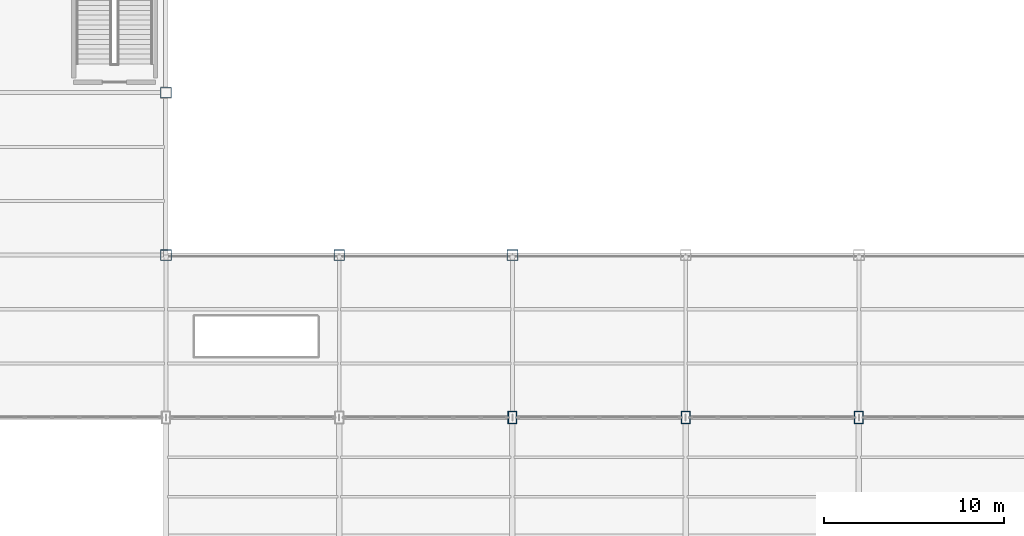
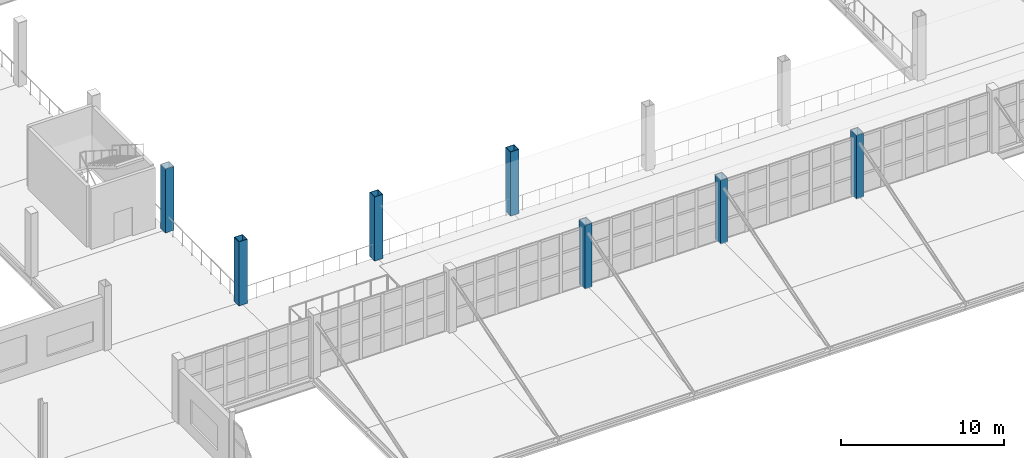
# One storey, part 5 of 120: 7 columns.
"""IFC4 building model written with IfcOpenShell, lengths in metres."""

from ifc_helpers import new_model, si_unit, direction, frame, origin, origin_2d, place, context, subcontext, project, spatial, hollow_rectangle, extrude, material, material_profile, profile_set, type_object, element, save


model = new_model("IFC4")

# Units and contexts
model_context = context("Model", 3, precision=1e-05, world=origin(), true_north=direction((0.0, 1.0)))
body_context = subcontext(model_context, "Body", "Model", "MODEL_VIEW")
ifc_project = project(units=[si_unit("LENGTHUNIT", "METRE"), si_unit("AREAUNIT", "SQUARE_METRE"), si_unit("VOLUMEUNIT", "CUBIC_METRE"), si_unit("PLANEANGLEUNIT", "RADIAN"), si_unit("MASSUNIT", "GRAM", prefix="KILO")], contexts=[model_context])

# Site, building, storey
site_placement = place(None, origin())
site = spatial("IfcSite", under=ifc_project, at=site_placement, CompositionType="ELEMENT")
building_placement = place(site_placement, origin())
building = spatial("IfcBuilding", under=site, at=building_placement, Name="Zarnetskaya Central Station", CompositionType="ELEMENT")
storey_placement = place(building_placement, frame((0.0, 0.0, 5.39990234375)))
storey = spatial("IfcBuildingStorey", under=building, at=storey_placement, Name="L01", CompositionType="ELEMENT", Elevation=5.39990234375)

# Columns
ifc_material = material(Name="Steel S355", Category="steel")
ifc_material_profile_1 = material_profile(ifc_material, hollow_rectangle(XDim=0.5, YDim=0.699951171875, WallThickness=0.031982421875, at=origin_2d()), Name="BOX 700x500x32")
ifc_profile_set_1 = profile_set([ifc_material_profile_1], Name="Steel S355")
column_type_1 = type_object("IfcColumnType", Name="COL-V2-HALL", PredefinedType="COLUMN", material=ifc_profile_set_1)
for number, where, z_axis, x_axis, name in (
    (1, (86.39990234375, 13.199951171875, 0.0), (0.0, 0.0, 1.0), (1.0, 0.0, 0.0), "Column K3 L01"),
    (2, (96.0, 13.199951171875, 0.0), (0.0, 0.0, 1.0), (1.0, 0.0, 0.0), "Column L3 L01"),
    (3, (105.60009765625, 13.199951171875, 0.0), (0.0, 0.0, 1.0), (1.0, 0.0, 0.0), "Column M3 L01"),
):
    element("IfcColumn", number, at=place(storey_placement, frame(where, z_axis=z_axis, x_axis=x_axis)), inside=storey, type_object=column_type_1, Name=name, PredefinedType="COLUMN", context=body_context, shape_type="SweptSolid", body=[
        extrude(hollow_rectangle(XDim=0.5, YDim=0.699951171875, WallThickness=0.031982421875, at=origin_2d()), origin(), (0.0, 0.0, 1.0), 4.7880859375),
    ])
ifc_material_profile_2 = material_profile(ifc_material, hollow_rectangle(XDim=0.60009765625, YDim=0.60009765625, WallThickness=0.030029296875, at=origin_2d()), Name="BOX 600x600x30")
ifc_profile_set_2 = profile_set([ifc_material_profile_2], Name="Steel S355")
column_type_2 = type_object("IfcColumnType", Name="COL-V2-INT", PredefinedType="COLUMN", material=ifc_profile_set_2)
column_1_placement = place(storey_placement, frame((67.199951171875, 22.199951171875, 0.0), z_axis=(0.0, 0.0, 1.0), x_axis=(1.0, 0.0, 0.0)))
element("IfcColumn", 4, at=column_1_placement, inside=storey, type_object=column_type_2, Name="Column H4 L01", PredefinedType="COLUMN", context=body_context, shape_type="SweptSolid", body=[
    extrude(hollow_rectangle(XDim=0.60009765625, YDim=0.60009765625, WallThickness=0.030029296875, at=origin_2d()), origin(), (0.0, 0.0, 1.0), 4.800048828125),
])
column_2_placement = place(storey_placement, frame((67.199951171875, 31.199951171875, 0.0), z_axis=(0.0, 0.0, 1.0), x_axis=(1.0, 0.0, 0.0)))
element("IfcColumn", 5, at=column_2_placement, inside=storey, type_object=column_type_2, Name="Column H5 L01", PredefinedType="COLUMN", context=body_context, shape_type="SweptSolid", body=[
    extrude(hollow_rectangle(XDim=0.60009765625, YDim=0.60009765625, WallThickness=0.030029296875, at=origin_2d()), origin(), (0.0, 0.0, 1.0), 4.7880859375),
])
for number, where, z_axis, x_axis, name in (
    (6, (76.800048828125, 22.199951171875, 0.0), (0.0, 0.0, 1.0), (1.0, 0.0, 0.0), "Column J4 L01"),
    (7, (86.39990234375, 22.199951171875, 0.0), (0.0, 0.0, 1.0), (1.0, 0.0, 0.0), "Column K4 L01"),
):
    element("IfcColumn", number, at=place(storey_placement, frame(where, z_axis=z_axis, x_axis=x_axis)), inside=storey, type_object=column_type_2, Name=name, PredefinedType="COLUMN", context=body_context, shape_type="SweptSolid", body=[
        extrude(hollow_rectangle(XDim=0.60009765625, YDim=0.60009765625, WallThickness=0.030029296875, at=origin_2d()), origin(), (0.0, 0.0, 1.0), 4.800048828125),
    ])

save(model, "model.ifc")
